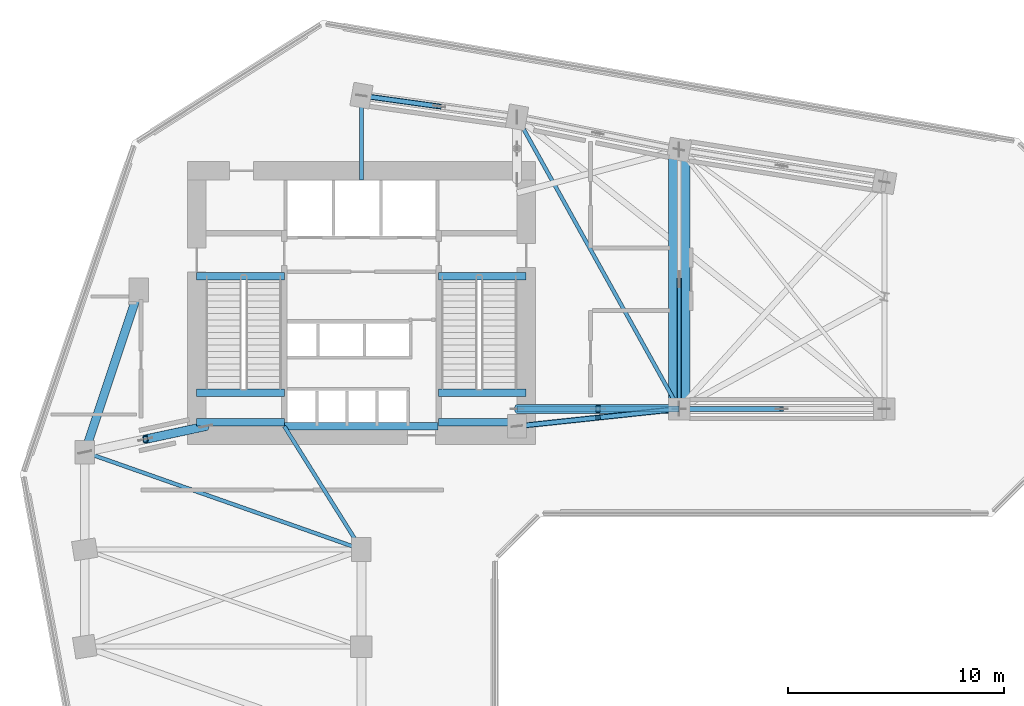
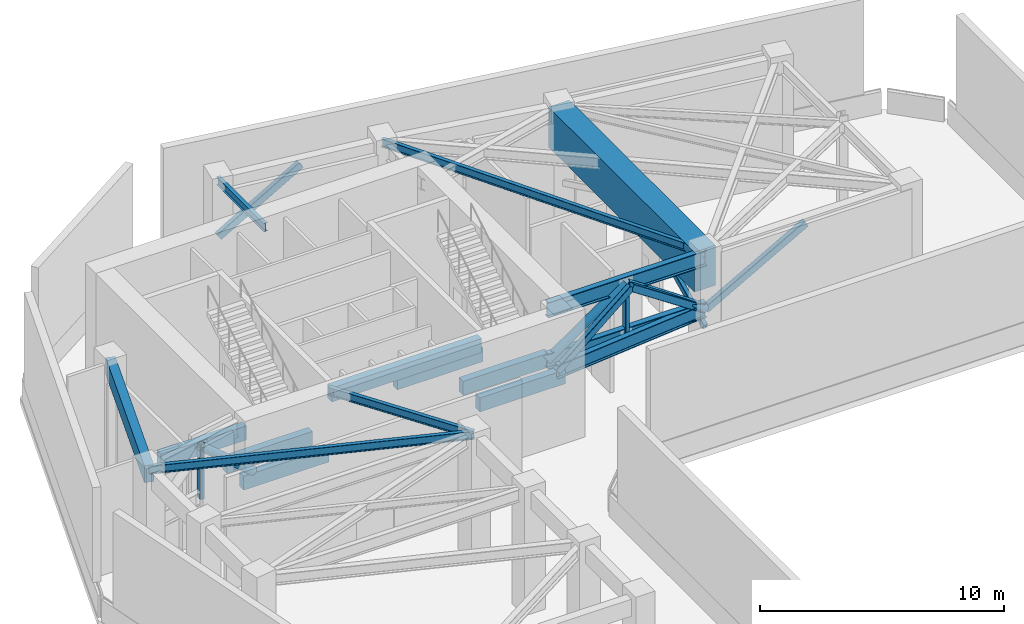
# One storey, part 2 of 10: 16 beams, 10 members.
"""IFC4 building model written with IfcOpenShell, lengths in metres."""

from ifc_helpers import new_model, si_unit, direction, frame, origin, origin_2d, place, context, subcontext, project, spatial, rectangle, hollow_rectangle, hollow_circle, i_section, extrude, source, transform, mapped, material, material_profile, profile_set, type_object, element, save


model = new_model("IFC4")

# Units and contexts
model_context = context("Model", 3, precision=1e-05, world=origin(), true_north=direction((0.0, 1.0)))
body_context = subcontext(model_context, "Body", "Model", "MODEL_VIEW")
ifc_project = project(units=[si_unit("LENGTHUNIT", "METRE"), si_unit("AREAUNIT", "SQUARE_METRE"), si_unit("VOLUMEUNIT", "CUBIC_METRE"), si_unit("PLANEANGLEUNIT", "RADIAN"), si_unit("MASSUNIT", "GRAM", prefix="KILO")], contexts=[model_context])

# Site, building, storey
site_placement = place(None, origin())
site = spatial("IfcSite", under=ifc_project, at=site_placement, CompositionType="ELEMENT")
building_placement = place(site_placement, origin())
building = spatial("IfcBuilding", under=site, at=building_placement, Name="Calvemar Wedge Station Tower", CompositionType="ELEMENT")
storey_placement = place(building_placement, frame((0.0, 0.0, 99.0)))
storey = spatial("IfcBuildingStorey", under=building, at=storey_placement, Name="L24", CompositionType="ELEMENT", Elevation=99.0)

# Beams
ifc_material_1 = material(Name="Concrete C70", Category="concrete")
ifc_material_profile_1 = material_profile(ifc_material_1, rectangle(XDim=0.35009765625, YDim=0.699951171875, at=origin_2d()), Name="RC350x700")
ifc_profile_set_1 = profile_set([ifc_material_profile_1], Name="Concrete C70")
beam_type_1 = type_object("IfcBeamType", Name="BM-LN1-700", PredefinedType="LINTEL", material=ifc_profile_set_1)
shared_shape_1 = source(origin(), body_context, "Body", "SweptSolid", [
    extrude(rectangle(XDim=0.35009765625, YDim=0.699951171875, at=origin_2d()), origin(), (0.0, 0.0, 1.0), 4.054931640625),
])
for number, where, z_axis, x_axis, name in (
    (1, (16.175048828125, 41.14990234375, -0.35009765625), (1.0, 0.0, 0.0), (0.0, 1.0, 0.0), "Storey L24 Stair ST-C1 Landing Trimmer Beam"),
    (2, (27.3701171875, 41.14990234375, -0.35009765625), (1.0, 0.0, 0.0), (0.0, 1.0, 0.0), "Storey L24 Stair ST-C2 Landing Trimmer Beam"),
    (3, (16.175048828125, 34.3798828125, 2.64990234375), (1.0, 0.0, 0.0), (0.0, 1.0, 0.0), "Storey L24 Stair ST-C1 Half-Landing Beam 1A"),
    (4, (16.175048828125, 35.75, 2.64990234375), (1.0, 0.0, 0.0), (0.0, 1.0, 0.0), "Storey L24 Stair ST-C1 Half-Landing Beam 1B"),
    (5, (27.3701171875, 34.3798828125, 2.64990234375), (1.0, 0.0, 0.0), (0.0, 1.0, 0.0), "Storey L24 Stair ST-C2 Half-Landing Beam 1A"),
    (6, (27.3701171875, 35.75, 2.64990234375), (1.0, 0.0, 0.0), (0.0, 1.0, 0.0), "Storey L24 Stair ST-C2 Half-Landing Beam 1B"),
):
    element("IfcBeam", number, at=place(storey_placement, frame(where, z_axis=z_axis, x_axis=x_axis)), inside=storey, type_object=beam_type_1, Name=name, PredefinedType="LINTEL", context=body_context, shape_type="MappedRepresentation", body=[
        mapped(shared_shape_1, transform((0.0, 0.0, 0.0), scale=1.0)),
    ])
ifc_material_2 = material(Name="Concrete C60", Category="concrete")
ifc_material_profile_2 = material_profile(ifc_material_2, rectangle(XDim=0.39990234375, YDim=0.85009765625, at=origin_2d()), Name="RC400x850")
ifc_profile_set_2 = profile_set([ifc_material_profile_2], Name="Concrete C60")
beam_type_2 = type_object("IfcBeamType", Name="BM-SP1-850", PredefinedType="SPANDREL", material=ifc_profile_set_2)
shared_shape_2 = source(origin(), body_context, "Body", "SweptSolid", [
    extrude(rectangle(XDim=0.39990234375, YDim=0.85009765625, at=origin_2d()), origin(), (0.0, 0.0, 1.0), 7.90576171875),
])
beam_1_placement = place(storey_placement, frame((11.0, 33.0, 5.675048828125), z_axis=(0.316227766017, 0.948683298051, 0.0), x_axis=(-0.948683298051, 0.316227766017, 0.0)))
element("IfcBeam", 7, at=beam_1_placement, inside=storey, type_object=beam_type_2, Name="Storey L24 Spandrel T-NW1-T-NW2", PredefinedType="SPANDREL", context=body_context, shape_type="MappedRepresentation", body=[
    mapped(shared_shape_2, transform((0.0, 0.0, 0.0), scale=1.0)),
])
ifc_material_3 = material(Name="Structural steel ASTM A572 Grade 50", Category="steel")
ifc_material_profile_3 = material_profile(ifc_material_3, i_section(OverallWidth=0.177978515625, OverallDepth=0.406982421875, WebThickness=0.0078125, FlangeThickness=0.0126953125, FilletRadius=0.010009765625, at=origin_2d()), Name="W410x60")
ifc_profile_set_3 = profile_set([ifc_material_profile_3], Name="Structural steel ASTM A572 Grade 50")
beam_type_3 = type_object("IfcBeamType", Name="BM-J3-W410", PredefinedType="JOIST", material=ifc_profile_set_3)
shared_shape_3 = source(origin(), body_context, "Body", "SweptSolid", [
    extrude(i_section(OverallWidth=0.177978515625, OverallDepth=0.406982421875, WebThickness=0.0078125, FlangeThickness=0.0126953125, FilletRadius=0.010009765625, at=origin_2d()), origin(), (0.0, 0.0, 1.0), 15.443359375),
])
beam_2_placement = place(storey_placement, frame((31.0, 48.5, 5.896484375), z_axis=(0.485642931179, -0.874157276122, 0.0), x_axis=(0.874157276122, 0.485642931179, 0.0)))
element("IfcBeam", 8, at=beam_2_placement, inside=storey, type_object=beam_type_3, Name="Storey L24 Floor Beam T-N2-T-NL2", PredefinedType="JOIST", context=body_context, shape_type="MappedRepresentation", body=[
    mapped(shared_shape_3, transform((0.0, 0.0, 0.0), scale=1.0)),
])
shared_shape_4 = source(origin(), body_context, "Body", "SweptSolid", [
    extrude(i_section(OverallWidth=0.177978515625, OverallDepth=0.406982421875, WebThickness=0.0078125, FlangeThickness=0.0126953125, FilletRadius=0.010009765625, at=origin_2d()), origin(), (0.0, 0.0, 1.0), 13.568115234375),
])
beam_3_placement = place(storey_placement, frame((11.0, 33.0, 5.896484375), z_axis=(0.943398221169, -0.331662171939, 0.0), x_axis=(0.331662171939, 0.943398221169, 0.0)))
element("IfcBeam", 9, at=beam_3_placement, inside=storey, type_object=beam_type_3, Name="Storey L24 Floor Beam T-NW1-T-SE1", PredefinedType="JOIST", context=body_context, shape_type="MappedRepresentation", body=[
    mapped(shared_shape_4, transform((0.0, 0.0, 0.0), scale=1.0)),
])
shared_shape_5 = source(origin(), body_context, "Body", "SweptSolid", [
    extrude(i_section(OverallWidth=0.177978515625, OverallDepth=0.406982421875, WebThickness=0.0078125, FlangeThickness=0.0126953125, FilletRadius=0.010009765625, at=origin_2d()), origin(), (0.0, 0.0, 1.0), 3.89990234375),
])
beam_4_placement = place(storey_placement, frame((23.800048828125, 45.60009765625, 5.896484375), z_axis=(0.0, 1.0, 0.0), x_axis=(-1.0, 0.0, 0.0)))
element("IfcBeam", 10, at=beam_4_placement, inside=storey, type_object=beam_type_3, Name="Storey L24 Core-to-Column Joist CJ-N1", PredefinedType="JOIST", context=body_context, shape_type="MappedRepresentation", body=[
    mapped(shared_shape_5, transform((0.0, 0.0, 0.0), scale=1.0)),
])
shared_shape_6 = source(origin(), body_context, "Body", "SweptSolid", [
    extrude(i_section(OverallWidth=0.177978515625, OverallDepth=0.406982421875, WebThickness=0.0078125, FlangeThickness=0.0126953125, FilletRadius=0.010009765625, at=origin_2d()), origin(), (0.0, 0.0, 1.0), 6.7255859375),
])
beam_5_placement = place(storey_placement, frame((20.22998046875, 34.199951171875, 5.896484375), z_axis=(0.530811158438, -0.847490126242, 0.0), x_axis=(0.847490126242, 0.530811158438, 0.0)))
element("IfcBeam", 11, at=beam_5_placement, inside=storey, type_object=beam_type_3, Name="Storey L24 Core-to-Column Joist CJ-S2", PredefinedType="JOIST", context=body_context, shape_type="MappedRepresentation", body=[
    mapped(shared_shape_6, transform((0.0, 0.0, 0.0), scale=1.0)),
])
shared_shape_7 = source(origin(), body_context, "Body", "SweptSolid", [
    extrude(rectangle(XDim=0.35009765625, YDim=0.699951171875, at=origin_2d()), origin(), (0.0, 0.0, 1.0), 7.10009765625),
])
beam_6_placement = place(storey_placement, frame((20.25, 34.199951171875, 5.75), z_axis=(1.0, 0.0, 0.0), x_axis=(0.0, 1.0, 0.0)))
element("IfcBeam", 12, at=beam_6_placement, inside=storey, type_object=beam_type_1, Name="Storey L24 Core Coupling Lintel South", PredefinedType="LINTEL", context=body_context, shape_type="MappedRepresentation", body=[
    mapped(shared_shape_7, transform((0.0, 0.0, 0.0), scale=1.0)),
])
ifc_material_profile_4 = material_profile(ifc_material_1, rectangle(XDim=1.0, YDim=2.0, at=origin_2d()), Name="RC1000x2000")
ifc_profile_set_4 = profile_set([ifc_material_profile_4], Name="Concrete C70")
beam_type_4 = type_object("IfcBeamType", Name="BM-TG1-2000", PredefinedType="BEAM", material=ifc_profile_set_4)
shared_shape_8 = source(origin(), body_context, "Body", "SweptSolid", [
    extrude(rectangle(XDim=1.0, YDim=2.0, at=origin_2d()), origin(), (0.0, 0.0, 1.0), 12.0),
])
beam_7_placement = place(storey_placement, frame((38.5, 35.0, 5.10009765625), z_axis=(0.0, 1.0, 0.0), x_axis=(-1.0, 0.0, 0.0)))
element("IfcBeam", 13, at=beam_7_placement, inside=storey, type_object=beam_type_4, Name="L24 Blade Shift Transfer Girder TG1", PredefinedType="BEAM", context=body_context, shape_type="MappedRepresentation", body=[
    mapped(shared_shape_8, transform((0.0, 0.0, 0.0), scale=1.0)),
])

# Member
ifc_material_profile_5 = material_profile(ifc_material_3, hollow_rectangle(XDim=0.199951171875, YDim=0.300048828125, WallThickness=0.013916015625, InnerFilletRadius=0.013916015625, OuterFilletRadius=0.028076171875, at=origin_2d()), Name="HSS300x200x14")
ifc_profile_set_5 = profile_set([ifc_material_profile_5], Name="Structural steel ASTM A572 Grade 50")
member_type_1 = type_object("IfcMemberType", Name="MEM-ST1-HSS300", PredefinedType="STRUT", material=ifc_profile_set_5)
shared_shape_9 = source(origin(), body_context, "Body", "SweptSolid", [
    extrude(hollow_rectangle(XDim=0.199951171875, YDim=0.300048828125, WallThickness=0.013916015625, InnerFilletRadius=0.013916015625, OuterFilletRadius=0.028076171875, at=origin_2d()), origin(), (0.0, 0.0, 1.0), 6.6640625),
])
member_1_placement = place(storey_placement, frame((38.5, 35.0, 2.199951171875), z_axis=(0.0, 0.900340340443, 0.435186478846), x_axis=(-1.0, 0.0, 0.0)))
element("IfcMember", 14, at=member_1_placement, inside=storey, type_object=member_type_1, Name="L24 Shifted-Blade Transfer Strut 1 to T-NTIP-B", PredefinedType="STRUT", context=body_context, shape_type="MappedRepresentation", body=[
    mapped(shared_shape_9, transform((0.0, 0.0, 0.0), scale=1.0)),
])

# Beams
ifc_material_profile_6 = material_profile(ifc_material_3, i_section(OverallWidth=0.27001953125, OverallDepth=0.77294921875, WebThickness=0.018798828125, FlangeThickness=0.0322265625, FilletRadius=0.01806640625, at=origin_2d()), Name="W760x257")
ifc_profile_set_6 = profile_set([ifc_material_profile_6], Name="Structural steel ASTM A572 Grade 50")
beam_type_5 = type_object("IfcBeamType", Name="BM-OT1-W760", PredefinedType="BEAM", material=ifc_profile_set_6)
shared_shape_10 = source(origin(), body_context, "Body", "SweptSolid", [
    extrude(i_section(OverallWidth=0.27001953125, OverallDepth=0.77294921875, WebThickness=0.018798828125, FlangeThickness=0.0322265625, FilletRadius=0.01806640625, at=origin_2d()), origin(), (0.0, 0.0, 1.0), 7.5),
])
for number, where, z_axis, x_axis, name in (
    (15, (31.0, 35.0, 3.136474609375), (1.0, 0.0, 0.0), (0.0, 1.0, 0.0), "L24 Outrigger OT-E Bottom Chord"),
    (16, (31.0, 35.0, 5.71337890625), (1.0, 0.0, 0.0), (0.0, 1.0, 0.0), "L24 Outrigger OT-E Top Chord"),
):
    element("IfcBeam", number, at=place(storey_placement, frame(where, z_axis=z_axis, x_axis=x_axis)), inside=storey, type_object=beam_type_5, Name=name, PredefinedType="BEAM", context=body_context, shape_type="MappedRepresentation", body=[
        mapped(shared_shape_10, transform((0.0, 0.0, 0.0), scale=1.0)),
    ])

# Members
ifc_material_profile_7 = material_profile(ifc_material_3, hollow_circle(Radius=0.203125, WallThickness=0.02001953125, at=origin_2d()), Name="CHS406.4x20")
ifc_profile_set_7 = profile_set([ifc_material_profile_7], Name="Structural steel ASTM A572 Grade 50")
member_type_2 = type_object("IfcMemberType", Name="MEM-D3-CHS406", PredefinedType="BRACE", material=ifc_profile_set_7)
shared_shape_11 = source(origin(), body_context, "Body", "SweptSolid", [
    extrude(hollow_circle(Radius=0.203125, WallThickness=0.02001953125, at=origin_2d()), origin(), (0.0, 0.0, 1.0), 4.550048828125),
])
for number, where, z_axis, x_axis, name in (
    (17, (31.0, 35.0, 3.136474609375), (0.824167150507, 0.0, 0.566346632396), (0.0, 1.0, 0.0), "L24 Outrigger OT-E Diagonal 1"),
    (18, (34.75, 35.0, 5.71337890625), (0.824167150507, 0.0, -0.566346632396), (0.0, 1.0, 0.0), "L24 Outrigger OT-E Diagonal 2"),
):
    element("IfcMember", number, at=place(storey_placement, frame(where, z_axis=z_axis, x_axis=x_axis)), inside=storey, type_object=member_type_2, Name=name, PredefinedType="BRACE", context=body_context, shape_type="MappedRepresentation", body=[
        mapped(shared_shape_11, transform((0.0, 0.0, 0.0), scale=1.0)),
    ])
shared_shape_12 = source(origin(), body_context, "Body", "SweptSolid", [
    extrude(hollow_rectangle(XDim=0.199951171875, YDim=0.300048828125, WallThickness=0.013916015625, InnerFilletRadius=0.013916015625, OuterFilletRadius=0.028076171875, at=origin_2d()), origin(), (0.0, 0.0, 1.0), 2.576904296875),
])
for number, where, z_axis, x_axis, name in (
    (19, (34.75, 35.0, 3.136474609375), (0.0, 0.0, 1.0), (1.0, 0.0, 0.0), "L24 Outrigger OT-E Strut"),
    (20, (13.800048828125, 33.60009765625, 3.136474609375), (0.0, 0.0, 1.0), (1.0, 0.0, 0.0), "L24 Outrigger OT-W Strut"),
):
    element("IfcMember", number, at=place(storey_placement, frame(where, z_axis=z_axis, x_axis=x_axis)), inside=storey, type_object=member_type_1, Name=name, PredefinedType="STRUT", context=body_context, shape_type="MappedRepresentation", body=[
        mapped(shared_shape_12, transform((0.0, 0.0, 0.0), scale=1.0)),
    ])
shared_shape_13 = source(origin(), body_context, "Body", "SweptSolid", [
    extrude(hollow_circle(Radius=0.203125, WallThickness=0.02001953125, at=origin_2d()), origin(), (0.0, 0.0, 1.0), 3.852294921875),
])
member_2_placement = place(storey_placement, frame((16.60009765625, 34.199951171875, 3.136474609375), z_axis=(-0.726843396103, -0.155711415487, 0.66891900304), x_axis=(0.209476686507, -0.977813641657, 0.0)))
element("IfcMember", 21, at=member_2_placement, inside=storey, type_object=member_type_2, Name="L24 Outrigger OT-W Diagonal 1", PredefinedType="BRACE", context=body_context, shape_type="MappedRepresentation", body=[
    mapped(shared_shape_13, transform((0.0, 0.0, 0.0), scale=1.0)),
])
ifc_material_profile_8 = material_profile(ifc_material_3, hollow_rectangle(XDim=0.25, YDim=0.35009765625, WallThickness=0.01611328125, InnerFilletRadius=0.01611328125, OuterFilletRadius=0.031982421875, at=origin_2d()), Name="HSS350x250x16")
ifc_profile_set_8 = profile_set([ifc_material_profile_8], Name="Structural steel ASTM A572 Grade 50")
member_type_3 = type_object("IfcMemberType", Name="MEM-D7-HSS350", PredefinedType="BRACE", material=ifc_profile_set_8)
shared_shape_14 = source(origin(), body_context, "Body", "SweptSolid", [
    extrude(hollow_rectangle(XDim=0.25, YDim=0.35009765625, WallThickness=0.01611328125, InnerFilletRadius=0.01611328125, OuterFilletRadius=0.031982421875, at=origin_2d()), origin(), (0.0, 0.0, 1.0), 4.505126953125),
])
member_3_placement = place(storey_placement, frame((23.800048828125, 49.5, 3.093994140625), z_axis=(0.799064882964, -0.110985749767, 0.590912409891), x_axis=(0.137573863227, 0.990491510391, 0.0)))
element("IfcMember", 22, at=member_3_placement, inside=storey, type_object=member_type_3, Name="L24 Belt Truss Chevron 1A", PredefinedType="BRACE", context=body_context, shape_type="MappedRepresentation", body=[
    mapped(shared_shape_14, transform((0.0, 0.0, 0.0), scale=1.0)),
])

# Beam
ifc_material_profile_9 = material_profile(ifc_material_3, i_section(OverallWidth=0.25390625, OverallDepth=0.68798828125, WebThickness=0.015380859375, FlangeThickness=0.02783203125, FilletRadius=0.014892578125, at=origin_2d()), Name="W690x192")
ifc_profile_set_9 = profile_set([ifc_material_profile_9], Name="Structural steel ASTM A572 Grade 50")
beam_type_6 = type_object("IfcBeamType", Name="BM-BT1-W690", PredefinedType="BEAM", material=ifc_profile_set_9)
shared_shape_15 = source(origin(), body_context, "Body", "SweptSolid", [
    extrude(i_section(OverallWidth=0.25390625, OverallDepth=0.68798828125, WebThickness=0.015380859375, FlangeThickness=0.02783203125, FilletRadius=0.014892578125, at=origin_2d()), origin(), (0.0, 0.0, 1.0), 7.54248046875),
])
beam_8_placement = place(storey_placement, frame((31.0, 34.199951171875, 3.093994140625), z_axis=(0.994358517773, 0.106071382251, 0.0), x_axis=(-0.106071382251, 0.994358517773, 0.0)))
element("IfcBeam", 23, at=beam_8_placement, inside=storey, type_object=beam_type_6, Name="L24 Belt Truss Bottom Chord 4", PredefinedType="BEAM", context=body_context, shape_type="MappedRepresentation", body=[
    mapped(shared_shape_15, transform((0.0, 0.0, 0.0), scale=1.0)),
])

# Members
shared_shape_16 = source(origin(), body_context, "Body", "SweptSolid", [
    extrude(hollow_rectangle(XDim=0.25, YDim=0.35009765625, WallThickness=0.01611328125, InnerFilletRadius=0.01611328125, OuterFilletRadius=0.031982421875, at=origin_2d()), origin(), (0.0, 0.0, 1.0), 4.6162109375),
])
for number, where, z_axis, x_axis, name in (
    (24, (31.0, 34.199951171875, 3.093994140625), (0.812353794309, 0.086682803963, 0.576686573772), (-0.106103386345, 0.994355103273, 0.0), "L24 Belt Truss Chevron 4A"),
    (25, (34.75, 34.60009765625, 5.756103515625), (0.812357517391, 0.086630313378, -0.576689216773), (-0.106039377826, 0.994361931266, 0.0), "L24 Belt Truss Chevron 4B"),
):
    element("IfcMember", number, at=place(storey_placement, frame(where, z_axis=z_axis, x_axis=x_axis)), inside=storey, type_object=member_type_3, Name=name, PredefinedType="BRACE", context=body_context, shape_type="MappedRepresentation", body=[
        mapped(shared_shape_16, transform((0.0, 0.0, 0.0), scale=1.0)),
    ])
shared_shape_17 = source(origin(), body_context, "Body", "SweptSolid", [
    extrude(hollow_rectangle(XDim=0.25, YDim=0.35009765625, WallThickness=0.01611328125, InnerFilletRadius=0.01611328125, OuterFilletRadius=0.031982421875, at=origin_2d()), origin(), (0.0, 0.0, 1.0), 5.445068359375),
])
member_4_placement = place(storey_placement, frame((38.5, 35.0, 3.093994140625), z_axis=(0.872340818891, 0.0, 0.488898246772), x_axis=(0.0, 1.0, 0.0)))
element("IfcMember", 26, at=member_4_placement, inside=storey, type_object=member_type_3, Name="L24 Belt Truss Chevron 5A", PredefinedType="BRACE", context=body_context, shape_type="MappedRepresentation", body=[
    mapped(shared_shape_17, transform((0.0, 0.0, 0.0), scale=1.0)),
])

save(model, "model.ifc")
